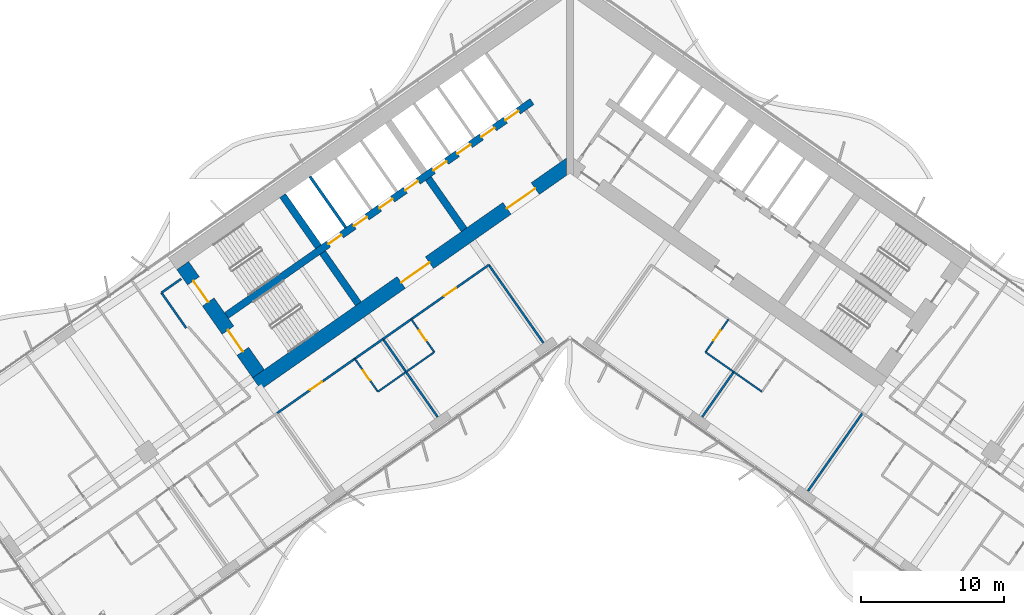
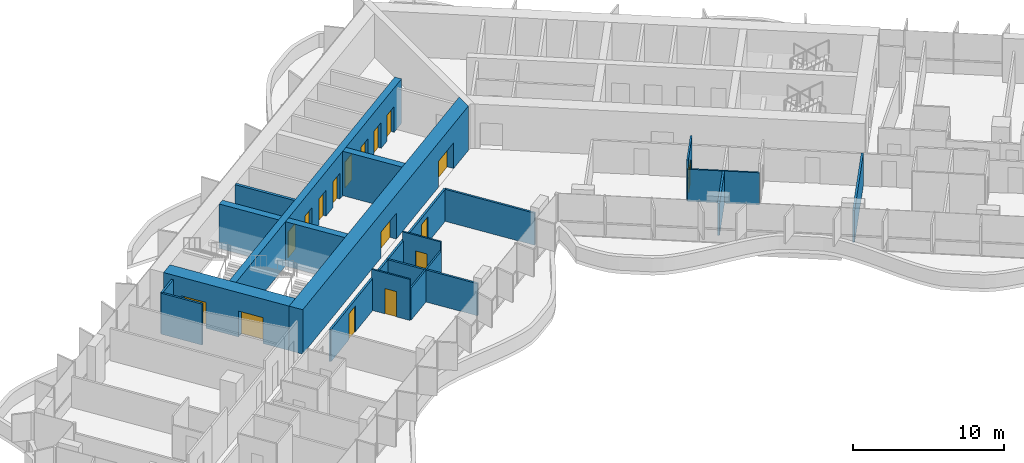
# One storey, part 14 of 24: 25 walls, 17 doors, 17 openings.
"""IFC4 building model written with IfcOpenShell, lengths in metres."""

import ifcopenshell
import ifcopenshell.guid

model = None  # the IFC model being written
_history = None  # IfcOwnerHistory: only IFC2X3 demands one
_inside = {}  # id of a spatial element -> (the spatial element, [elements in it])
_under = {}  # id of a project, library or spatial element -> (it, [spatial elements below it])
_declared = {}  # id of a project -> (the project, [libraries it declares])
_typed = {}  # id of a type object -> (the type object, [elements of that type])
_made_of = {}  # id of a material, layer set ... -> (it, [elements and type objects made of it])


def new_model(schema):
    """Start an empty IFC model of exactly this schema.

    Asked for "IFC4X3", IfcOpenShell would pick the latest addendum, in which some entities
    have other attributes; the version numbers below select the first issue.
    IFC2X3 requires an IfcOwnerHistory on every rooted entity: one is made here for all.
    """
    global model, _history
    if schema == "IFC4X3":
        model = ifcopenshell.file(schema_version=(4, 3, 0, 0))
    else:
        model = ifcopenshell.file(schema=schema)
    _inside.clear()
    _under.clear()
    _declared.clear()
    _typed.clear()
    _made_of.clear()
    _history = None
    if model.schema == "IFC2X3":
        org = make("IfcOrganization", Name="unknown")
        user = make(
            "IfcPersonAndOrganization",
            ThePerson=make("IfcPerson", FamilyName="unknown"),
            TheOrganization=org,
        )
        app = make(
            "IfcApplication",
            ApplicationDeveloper=org,
            Version="unknown",
            ApplicationFullName="unknown",
            ApplicationIdentifier="unknown",
        )
        _history = make(
            "IfcOwnerHistory",
            OwningUser=user,
            OwningApplication=app,
            ChangeAction="ADDED",
            CreationDate=0,
        )
    return model


def make(cls, **values):
    """One entity of the class cls with the attributes given. An attribute that is None is left unset."""
    return model.create_entity(
        cls, **{name: value for name, value in values.items() if value is not None}
    )


def rooted(cls, **values):
    """An entity with a GlobalId (a new one), such as an element, a storey or a relation."""
    return make(cls, GlobalId=ifcopenshell.guid.new(), OwnerHistory=_history, **values)


def si_unit(unit_type, name, prefix=None):
    """IfcSIUnit, for example si_unit("LENGTHUNIT", "METRE", prefix="MILLI")."""
    return make("IfcSIUnit", UnitType=unit_type, Prefix=prefix, Name=name)


def assignment(units):
    """IfcUnitAssignment: the units of a project."""
    return None if units is None else make("IfcUnitAssignment", Units=units)


def point(xyz):
    """IfcCartesianPoint."""
    return None if xyz is None else make("IfcCartesianPoint", Coordinates=xyz)


def direction(xyz):
    """IfcDirection."""
    return None if xyz is None else make("IfcDirection", DirectionRatios=xyz)


def frame(location, z_axis=None, x_axis=None):
    """IfcAxis2Placement3D, a coordinate frame: its origin and axes. An axis left out is left unset."""
    return make(
        "IfcAxis2Placement3D",
        Location=point(location),
        Axis=direction(z_axis),
        RefDirection=direction(x_axis),
    )


def frame_2d(location, x_axis=None):
    """IfcAxis2Placement2D, a coordinate frame in the plane: its origin and x axis."""
    return make(
        "IfcAxis2Placement2D", Location=point(location), RefDirection=direction(x_axis)
    )


def origin():
    """The frame at (0, 0, 0) with its axes left unset."""
    return frame((0.0, 0.0, 0.0))


def place(relative_to, where):
    """IfcLocalPlacement: puts the frame where relative to a parent placement (None: the world)."""
    return make(
        "IfcLocalPlacement", PlacementRelTo=relative_to, RelativePlacement=where
    )


def context(
    kind, dimensions, precision=None, world=None, true_north=None, identifier=None
):
    """IfcGeometricRepresentationContext, for example the 3D "Model" context."""
    return make(
        "IfcGeometricRepresentationContext",
        ContextIdentifier=identifier,
        ContextType=kind,
        CoordinateSpaceDimension=dimensions,
        Precision=precision,
        WorldCoordinateSystem=world,
        TrueNorth=true_north,
    )


def subcontext(parent, identifier, kind, view, scale=None):
    """IfcGeometricRepresentationSubContext, for example "Body" below "Model"."""
    return make(
        "IfcGeometricRepresentationSubContext",
        ContextIdentifier=identifier,
        ContextType=kind,
        ParentContext=parent,
        TargetScale=scale,
        TargetView=view,
    )


def project(units=None, contexts=None):
    """IfcProject with its units and contexts."""
    return rooted(
        "IfcProject",
        Name="project",
        RepresentationContexts=contexts,
        UnitsInContext=assignment(units),
    )


def spatial(cls, under=None, at=None, **own):
    """A site, building, storey or space (cls), placed at a placement, below another one or the project."""
    s = rooted(cls, ObjectPlacement=at, **own)
    if under is not None:
        _under.setdefault(under.id(), (under, []))[1].append(s)
    return s


def polyline(points):
    """IfcPolyline through the points."""
    return make("IfcPolyline", Points=[point(p) for p in points])


def profile(cls, at=None, kind="AREA", **sizes):
    """A parametric profile (cls). Its sizes go by their IFC names, for example OverallWidth=200.0."""
    return make(cls, ProfileType=kind, Position=at, **sizes)


def rectangle(**sizes):
    """IfcRectangleProfileDef."""
    return profile("IfcRectangleProfileDef", **sizes)


def outline(outer, holes=None, kind="AREA"):
    """IfcArbitraryClosedProfileDef: a profile drawn as a closed curve; with holes, ...WithVoids."""
    if holes is None:
        return make("IfcArbitraryClosedProfileDef", ProfileType=kind, OuterCurve=outer)
    return make(
        "IfcArbitraryProfileDefWithVoids",
        ProfileType=kind,
        OuterCurve=outer,
        InnerCurves=holes,
    )


def extrude(swept, where, along, depth):
    """IfcExtrudedAreaSolid: the profile swept, set in the frame where, extruded along a direction by depth."""
    return make(
        "IfcExtrudedAreaSolid",
        SweptArea=swept,
        Position=where,
        ExtrudedDirection=direction(along),
        Depth=depth,
    )


def shape(context_of_items, identifier, shape_type, items):
    """IfcShapeRepresentation: the items that make up one representation, for example the "Body"."""
    return make(
        "IfcShapeRepresentation",
        ContextOfItems=context_of_items,
        RepresentationIdentifier=identifier,
        RepresentationType=shape_type,
        Items=items,
    )


def material(Name=None, Category=None):
    """IfcMaterial."""
    return make("IfcMaterial", Name=Name, Category=Category)


def layer(
    of_material, thickness, ventilated=None, Name=None, Category=None, Priority=None
):
    """IfcMaterialLayer: one layer of a wall or slab, of a material (None: an air gap)."""
    return make(
        "IfcMaterialLayer",
        Material=of_material,
        LayerThickness=thickness,
        IsVentilated=ventilated,
        Name=Name,
        Category=Category,
        Priority=Priority,
    )


def layer_set(layers, Name=None):
    """IfcMaterialLayerSet."""
    return make("IfcMaterialLayerSet", MaterialLayers=layers, LayerSetName=Name)


def made_of(thing, what):
    """Note that an element or type object is made of a material, layer set ...; save() writes the relation."""
    if what is not None:
        _made_of.setdefault(what.id(), (what, []))[1].append(thing)
    return thing


def type_object(cls, material=None, **own):
    """A type object (cls), such as IfcWallType, which elements share."""
    return made_of(rooted(cls, **own), material)


def element(
    cls,
    number,
    at=None,
    inside=None,
    cuts=None,
    type_object=None,
    material=None,
    context=None,
    identifier="Body",
    shape_type=None,
    held_by="IfcProductDefinitionShape",
    body=None,
    shapes=None,
    **own,
):
    """One element of the class cls, such as IfcWall. Its Tag is "e" and its number.

    at: its placement. inside: the storey or other place that contains it. cuts: it is an
    opening in that element (IfcRelVoidsElement). A single representation is given by context,
    identifier, shape_type and body (its items); several are given by shapes. held_by: the class
    of the entity that holds the representations. save() writes the other relations.
    """
    e = rooted(cls, Tag="e%d" % number, ObjectPlacement=at, **own)
    if body is not None:
        shapes = [shape(context, identifier, shape_type, body)]
    if shapes is not None:
        e.Representation = make(held_by, Representations=shapes)
    if inside is not None:
        _inside.setdefault(inside.id(), (inside, []))[1].append(e)
    if cuts is not None:
        rooted(
            "IfcRelVoidsElement", RelatingBuildingElement=cuts, RelatedOpeningElement=e
        )
    if type_object is not None:
        _typed.setdefault(type_object.id(), (type_object, []))[1].append(e)
    return made_of(e, material)


def fill(opening, filler):
    """IfcRelFillsElement: the door or window that sits in an opening."""
    return rooted(
        "IfcRelFillsElement",
        RelatingOpeningElement=opening,
        RelatedBuildingElement=filler,
    )


def aggregate(whole, parts):
    """IfcRelAggregates: a whole, such as a stair, and the parts it consists of."""
    return rooted("IfcRelAggregates", RelatingObject=whole, RelatedObjects=parts)


def save(model, path):
    """Write the relations noted so far, then the file.

    IfcRelAggregates (storeys below a building ...), IfcRelContainedInSpatialStructure (elements
    in a storey), IfcRelDefinesByType, IfcRelAssociatesMaterial and IfcRelDeclares: one each for
    every whole, place, type object, material and project.
    """
    for whole, parts in _under.values():
        aggregate(whole, parts)
    for where, things in _inside.values():
        rooted(
            "IfcRelContainedInSpatialStructure",
            RelatedElements=things,
            RelatingStructure=where,
        )
    for kind, things in _typed.values():
        rooted("IfcRelDefinesByType", RelatedObjects=things, RelatingType=kind)
    for what, things in _made_of.values():
        rooted("IfcRelAssociatesMaterial", RelatedObjects=things, RelatingMaterial=what)
    for by, libraries in _declared.values():
        rooted("IfcRelDeclares", RelatingContext=by, RelatedDefinitions=libraries)
    model.write(path)


model = new_model("IFC4")

# Units and contexts
model_context = context("Model", 3, precision=1e-05, world=origin(), true_north=direction((0.0, 1.0)))
body_context = subcontext(model_context, "Body", "Model", "MODEL_VIEW")
ifc_project = project(units=[si_unit("LENGTHUNIT", "METRE"), si_unit("AREAUNIT", "SQUARE_METRE"), si_unit("VOLUMEUNIT", "CUBIC_METRE"), si_unit("PLANEANGLEUNIT", "RADIAN"), si_unit("MASSUNIT", "GRAM", prefix="KILO")], contexts=[model_context])

# Site, building, storey
site_placement = place(None, origin())
site = spatial("IfcSite", under=ifc_project, at=site_placement, CompositionType="ELEMENT")
building_placement = place(site_placement, origin())
building = spatial("IfcBuilding", under=site, at=building_placement, Name="Tel Ilan Convention Tower", CompositionType="ELEMENT")
storey_placement = place(building_placement, frame((0.0, 0.0, 72.5)))
storey = spatial("IfcBuildingStorey", under=building, at=storey_placement, Name="L13", CompositionType="ELEMENT", Elevation=72.5)

# Wall, openings, doors
ifc_material_1 = material(Name="Concrete C60/75", Category="concrete")
ifc_layer_1 = layer(ifc_material_1, 1.0)
ifc_layer_set_1 = layer_set([ifc_layer_1], Name="Core Shear Wall 1000 mm C60/75")
wall_type_1 = type_object("IfcWallType", Name="Core Shear Wall 1000 mm C60/75", PredefinedType="SHEAR", material=ifc_layer_set_1)
wall_1_placement = place(storey_placement, frame((0.036865234375, -0.584716796875, 0.0), z_axis=(0.0, 0.0, 1.0), x_axis=(-0.819157152511, -0.573569140985, 0.0)))
wall_1 = element("IfcWall", 1, at=wall_1_placement, inside=storey, type_object=wall_type_1, Name="L13 core wall W-front", PredefinedType="SHEAR", context=body_context, shape_type="SweptSolid", body=[
    extrude(outline(polyline([(26.69482421875, 0.500244140625), (0.7001953125, 0.499755859375), (0.0, -0.5), (26.69482421875, -0.499755859375), (26.69482421875, 0.500244140625)])), origin(), (0.0, 0.0, 1.0), 3.60009765625),
])
opening_1_placement = place(wall_1_placement, frame((2.994873046875, 0.0, 0.0)))
opening_1 = element("IfcOpeningElement", 2, at=opening_1_placement, cuts=wall_1, Name="Opening CD1305", PredefinedType="OPENING", context=body_context, shape_type="SweptSolid", body=[
    extrude(rectangle(XDim=2.39990234375, YDim=2.10009765625, at=frame_2d((1.199951171875, 1.050048828125))), frame((0.0, 0.510009765625, 0.0), z_axis=(0.0, -1.0, 0.0), x_axis=(1.0, 0.0, 0.0)), (0.0, 0.0, 1.0), 1.02001953125),
])
opening_2_placement = place(wall_1_placement, frame((11.994873046875, 0.0, 0.0)))
opening_2 = element("IfcOpeningElement", 3, at=opening_2_placement, cuts=wall_1, Name="Opening CD1306", PredefinedType="OPENING", context=body_context, shape_type="SweptSolid", body=[
    extrude(rectangle(XDim=2.39990234375, YDim=2.10009765625, at=frame_2d((1.199951171875, 1.050048828125))), frame((0.0, 0.510009765625, 0.0), z_axis=(0.0, -1.0, 0.0), x_axis=(1.0, 0.0, 0.0)), (0.0, 0.0, 1.0), 1.02001953125),
])
ifc_material_2 = material(Name="Glazed Aluminium Door Leaf", Category="aluminium")
door_type_1 = type_object("IfcDoorType", Name="Lobby Opening Door 2400 x 2100 FD60S", OperationType="NOTDEFINED", PredefinedType="DOOR", material=ifc_material_2)
door_1_placement = place(opening_1_placement, origin())
door_1 = element("IfcDoor", 4, at=door_1_placement, inside=storey, type_object=door_type_1, Name="Lift Lobby LR1-LR4 opening", OperationType="DOUBLE_DOOR_SINGLE_SWING", OverallHeight=2.10009765625, OverallWidth=2.39990234375, PredefinedType="DOOR", context=body_context, shape_type="SweptSolid", body=[
    extrude(rectangle(XDim=2.39990234375, YDim=2.10009765625, at=frame_2d((1.199951171875, 1.050048828125))), frame((0.0, 0.02490234375, 0.0), z_axis=(0.0, -1.0, 0.0), x_axis=(1.0, 0.0, 0.0)), (0.0, 0.0, 1.0), 0.050048828125),
])
fill(opening_1, door_1)
door_2_placement = place(opening_2_placement, origin())
door_2 = element("IfcDoor", 5, at=door_2_placement, inside=storey, type_object=door_type_1, Name="Lift Lobby LR5-LR8 opening", OperationType="DOUBLE_DOOR_SINGLE_SWING", OverallHeight=2.10009765625, OverallWidth=2.39990234375, PredefinedType="DOOR", context=body_context, shape_type="SweptSolid", body=[
    extrude(rectangle(XDim=2.39990234375, YDim=2.10009765625, at=frame_2d((1.199951171875, 1.050048828125))), frame((0.0, 0.02490234375, 0.0), z_axis=(0.0, -1.0, 0.0), x_axis=(1.0, 0.0, 0.0)), (0.0, 0.0, 1.0), 0.050048828125),
])
fill(opening_2, door_2)

wall_2_placement = place(storey_placement, frame((-21.70751953125, -15.19970703125, 0.0), z_axis=(0.0, 0.0, 1.0), x_axis=(-0.573576324356, 0.819152122709, 0.0)))
wall_2 = element("IfcWall", 6, at=wall_2_placement, inside=storey, type_object=wall_type_1, Name="L13 core wall W-end", PredefinedType="SHEAR", context=body_context, shape_type="SweptSolid", body=[
    extrude(outline(polyline([(0.0, 0.5), (0.0, -0.5), (9.199951171875, -0.5), (9.199951171875, 0.5), (0.0, 0.5)])), origin(), (0.0, 0.0, 1.0), 3.60009765625),
])
opening_3_placement = place(wall_2_placement, frame((6.10009765625, 0.0, 0.0)))
opening_3 = element("IfcOpeningElement", 7, at=opening_3_placement, cuts=wall_2, Name="Opening SD1301", PredefinedType="OPENING", context=body_context, shape_type="SweptSolid", body=[
    extrude(rectangle(XDim=1.800048828125, YDim=2.10009765625, at=frame_2d((0.89990234375, 1.050048828125))), frame((0.0, 0.510009765625, 0.0), z_axis=(0.0, -1.0, 0.0), x_axis=(1.0, 0.0, 0.0)), (0.0, 0.0, 1.0), 1.02001953125),
])
opening_4_placement = place(wall_2_placement, frame((1.89990234375, 0.0, 0.0)))
opening_4 = element("IfcOpeningElement", 8, at=opening_4_placement, cuts=wall_2, Name="Opening SD1302", PredefinedType="OPENING", context=body_context, shape_type="SweptSolid", body=[
    extrude(rectangle(XDim=1.800048828125, YDim=2.10009765625, at=frame_2d((0.89990234375, 1.050048828125))), frame((0.0, 0.510009765625, 0.0), z_axis=(0.0, -1.0, 0.0), x_axis=(1.0, 0.0, 0.0)), (0.0, 0.0, 1.0), 1.02001953125),
])
ifc_material_3 = material(Name="Galvanised Steel Door Leaf", Category="steel")
door_type_2 = type_object("IfcDoorType", Name="Stair Fire Door 1800 x 2100 FD60S", OperationType="NOTDEFINED", PredefinedType="DOOR", material=ifc_material_3)
door_3_placement = place(opening_3_placement, origin())
door_3 = element("IfcDoor", 9, at=door_3_placement, inside=storey, type_object=door_type_2, Name="Stair S1 door", OperationType="DOUBLE_DOOR_SINGLE_SWING", OverallHeight=2.10009765625, OverallWidth=1.800048828125, PredefinedType="DOOR", context=body_context, shape_type="SweptSolid", body=[
    extrude(rectangle(XDim=1.800048828125, YDim=2.10009765625, at=frame_2d((0.89990234375, 1.050048828125))), frame((0.0, 0.02490234375, 0.0), z_axis=(0.0, -1.0, 0.0), x_axis=(1.0, 0.0, 0.0)), (0.0, 0.0, 1.0), 0.050048828125),
])
fill(opening_3, door_3)
door_4_placement = place(opening_4_placement, origin())
door_4 = element("IfcDoor", 10, at=door_4_placement, inside=storey, type_object=door_type_2, Name="Stair S2 door", OperationType="DOUBLE_DOOR_SINGLE_SWING", OverallHeight=2.10009765625, OverallWidth=1.800048828125, PredefinedType="DOOR", context=body_context, shape_type="SweptSolid", body=[
    extrude(rectangle(XDim=1.800048828125, YDim=2.10009765625, at=frame_2d((0.89990234375, 1.050048828125))), frame((0.0, 0.02490234375, 0.0), z_axis=(0.0, -1.0, 0.0), x_axis=(1.0, 0.0, 0.0)), (0.0, 0.0, 1.0), 0.050048828125),
])
fill(opening_4, door_4)

# Walls
ifc_material_4 = material(Name="Concrete C60/75", Category="concrete")
ifc_layer_2 = layer(ifc_material_4, 0.5)
ifc_layer_set_2 = layer_set([ifc_layer_2], Name="Core Shear Wall 500 mm C60/75")
wall_type_2 = type_object("IfcWallType", Name="Core Shear Wall 500 mm C60/75", PredefinedType="SHEAR", material=ifc_layer_set_2)
wall_3_placement = place(storey_placement, frame((-7.372314453125, -5.162109375, 0.0), z_axis=(0.0, 0.0, 1.0), x_axis=(-0.573594173421, 0.819139624372, 0.0)))
element("IfcWall", 11, at=wall_3_placement, inside=storey, type_object=wall_type_2, Name="L13 core wall W-cross1-1", PredefinedType="SHEAR", context=body_context, shape_type="SweptSolid", body=[
    extrude(outline(polyline([(4.349853515625, 0.25), (0.0, 0.250244140625), (0.0, -0.25), (4.349853515625, -0.25), (4.349853515625, 0.25)])), origin(), (0.0, 0.0, 1.0), 3.60009765625),
])
wall_4_placement = place(storey_placement, frame((-14.74462890625, -10.324462890625, 0.0), z_axis=(0.0, 0.0, 1.0), x_axis=(-0.57356780395, 0.819158088694, 0.0)))
element("IfcWall", 12, at=wall_4_placement, inside=storey, type_object=wall_type_2, Name="L13 core wall W-cross2-1", PredefinedType="SHEAR", context=body_context, shape_type="SweptSolid", body=[
    extrude(outline(polyline([(4.35009765625, 0.250244140625), (0.0, 0.25), (0.0, -0.25), (4.35009765625, -0.25), (4.35009765625, 0.250244140625)])), origin(), (0.0, 0.0, 1.0), 3.60009765625),
])
wall_5_placement = place(storey_placement, frame((-17.526611328125, -6.3515625, 0.0), z_axis=(0.0, 0.0, 1.0), x_axis=(-0.573530143085, 0.819184457233, 0.0)))
element("IfcWall", 13, at=wall_5_placement, inside=storey, type_object=wall_type_2, Name="L13 core wall W-cross2-2", PredefinedType="SHEAR", context=body_context, shape_type="SweptSolid", body=[
    extrude(outline(polyline([(4.35009765625, -0.249755859375), (4.35009765625, 0.250244140625), (0.0, 0.25), (0.0, -0.25), (4.35009765625, -0.249755859375)])), origin(), (0.0, 0.0, 1.0), 3.60009765625),
])

# Wall, openings, doors
wall_6_placement = place(storey_placement, frame((-2.638427734375, 3.76806640625, 0.0), z_axis=(0.0, 0.0, 1.0), x_axis=(-0.819148977158, -0.573580816643, 0.0)))
wall_6 = element("IfcWall", 14, at=wall_6_placement, inside=storey, type_object=wall_type_2, Name="L13 core wall W-spine", PredefinedType="SHEAR", context=body_context, shape_type="SweptSolid", body=[
    extrude(outline(polyline([(26.0, 0.249755859375), (0.0, 0.25), (0.0, -0.25), (26.0, -0.250244140625), (26.0, 0.249755859375)])), origin(), (0.0, 0.0, 1.0), 3.60009765625),
])
opening_5_placement = place(wall_6_placement, frame((1.168701171875, 0.0, 0.0)))
opening_5 = element("IfcOpeningElement", 15, at=opening_5_placement, cuts=wall_6, Name="Opening LD1304", PredefinedType="OPENING", context=body_context, shape_type="SweptSolid", body=[
    extrude(rectangle(XDim=1.10009765625, YDim=2.10009765625, at=frame_2d((0.550048828125, 1.050048828125))), frame((0.0, 0.260009765625, 0.0), z_axis=(0.0, -1.0, 0.0), x_axis=(1.0, 0.0, 0.0)), (0.0, 0.0, 1.0), 0.52001953125),
])
opening_6_placement = place(wall_6_placement, frame((3.206298828125, 0.0, 0.0)))
opening_6 = element("IfcOpeningElement", 16, at=opening_6_placement, cuts=wall_6, Name="Opening LD1305", PredefinedType="OPENING", context=body_context, shape_type="SweptSolid", body=[
    extrude(rectangle(XDim=1.10009765625, YDim=2.10009765625, at=frame_2d((0.550048828125, 1.050048828125))), frame((0.0, 0.260009765625, 0.0), z_axis=(0.0, -1.0, 0.0), x_axis=(1.0, 0.0, 0.0)), (0.0, 0.0, 1.0), 0.52001953125),
])
opening_7_placement = place(wall_6_placement, frame((5.24365234375, 0.0, 0.0)))
opening_7 = element("IfcOpeningElement", 17, at=opening_7_placement, cuts=wall_6, Name="Opening LD1306", PredefinedType="OPENING", context=body_context, shape_type="SweptSolid", body=[
    extrude(rectangle(XDim=1.10009765625, YDim=2.10009765625, at=frame_2d((0.550048828125, 1.050048828125))), frame((0.0, 0.260009765625, 0.0), z_axis=(0.0, -1.0, 0.0), x_axis=(1.0, 0.0, 0.0)), (0.0, 0.0, 1.0), 0.52001953125),
])
opening_8_placement = place(wall_6_placement, frame((7.28125, 0.0, 0.0)))
opening_8 = element("IfcOpeningElement", 18, at=opening_8_placement, cuts=wall_6, Name="Opening LD1307", PredefinedType="OPENING", context=body_context, shape_type="SweptSolid", body=[
    extrude(rectangle(XDim=1.10009765625, YDim=2.10009765625, at=frame_2d((0.550048828125, 1.050048828125))), frame((0.0, 0.260009765625, 0.0), z_axis=(0.0, -1.0, 0.0), x_axis=(1.0, 0.0, 0.0)), (0.0, 0.0, 1.0), 0.52001953125),
])
opening_9_placement = place(wall_6_placement, frame((9.6875, 0.0, 0.0)))
opening_9 = element("IfcOpeningElement", 19, at=opening_9_placement, cuts=wall_6, Name="Opening LD1308", PredefinedType="OPENING", context=body_context, shape_type="SweptSolid", body=[
    extrude(rectangle(XDim=1.10009765625, YDim=2.10009765625, at=frame_2d((0.550048828125, 1.050048828125))), frame((0.0, 0.260009765625, 0.0), z_axis=(0.0, -1.0, 0.0), x_axis=(1.0, 0.0, 0.0)), (0.0, 0.0, 1.0), 0.52001953125),
])
opening_10_placement = place(wall_6_placement, frame((11.862548828125, 0.0, 0.0)))
opening_10 = element("IfcOpeningElement", 20, at=opening_10_placement, cuts=wall_6, Name="Opening LD1309", PredefinedType="OPENING", context=body_context, shape_type="SweptSolid", body=[
    extrude(rectangle(XDim=1.10009765625, YDim=2.10009765625, at=frame_2d((0.550048828125, 1.050048828125))), frame((0.0, 0.260009765625, 0.0), z_axis=(0.0, -1.0, 0.0), x_axis=(1.0, 0.0, 0.0)), (0.0, 0.0, 1.0), 0.52001953125),
])
opening_11_placement = place(wall_6_placement, frame((14.03759765625, 0.0, 0.0)))
opening_11 = element("IfcOpeningElement", 21, at=opening_11_placement, cuts=wall_6, Name="Opening LD1310", PredefinedType="OPENING", context=body_context, shape_type="SweptSolid", body=[
    extrude(rectangle(XDim=1.10009765625, YDim=2.10009765625, at=frame_2d((0.550048828125, 1.050048828125))), frame((0.0, 0.260009765625, 0.0), z_axis=(0.0, -1.0, 0.0), x_axis=(1.0, 0.0, 0.0)), (0.0, 0.0, 1.0), 0.52001953125),
])
opening_12_placement = place(wall_6_placement, frame((16.21240234375, 0.0, 0.0)))
opening_12 = element("IfcOpeningElement", 22, at=opening_12_placement, cuts=wall_6, Name="Opening LD1311", PredefinedType="OPENING", context=body_context, shape_type="SweptSolid", body=[
    extrude(rectangle(XDim=1.10009765625, YDim=2.10009765625, at=frame_2d((0.550048828125, 1.050048828125))), frame((0.0, 0.260009765625, 0.0), z_axis=(0.0, -1.0, 0.0), x_axis=(1.0, 0.0, 0.0)), (0.0, 0.0, 1.0), 0.52001953125),
])
ifc_material_5 = material(Name="Stainless Steel Sliding Door Leaf", Category="steel")
door_type_3 = type_object("IfcDoorType", Name="Lift Landing Door 1100 x 2100 FD120", OperationType="NOTDEFINED", PredefinedType="DOOR", material=ifc_material_5)
door_5_placement = place(opening_5_placement, origin())
door_5 = element("IfcDoor", 23, at=door_5_placement, inside=storey, type_object=door_type_3, Name="Lift LR1 landing door", OperationType="SLIDING_TO_LEFT", OverallHeight=2.10009765625, OverallWidth=1.10009765625, PredefinedType="DOOR", context=body_context, shape_type="SweptSolid", body=[
    extrude(rectangle(XDim=1.10009765625, YDim=2.10009765625, at=frame_2d((0.550048828125, 1.050048828125))), frame((0.0, 0.02490234375, 0.0), z_axis=(0.0, -1.0, 0.0), x_axis=(1.0, 0.0, 0.0)), (0.0, 0.0, 1.0), 0.050048828125),
])
fill(opening_5, door_5)
door_6_placement = place(opening_6_placement, origin())
door_6 = element("IfcDoor", 24, at=door_6_placement, inside=storey, type_object=door_type_3, Name="Lift LR2 landing door", OperationType="SLIDING_TO_RIGHT", OverallHeight=2.10009765625, OverallWidth=1.10009765625, PredefinedType="DOOR", context=body_context, shape_type="SweptSolid", body=[
    extrude(rectangle(XDim=1.10009765625, YDim=2.10009765625, at=frame_2d((0.550048828125, 1.050048828125))), frame((0.0, 0.02490234375, 0.0), z_axis=(0.0, -1.0, 0.0), x_axis=(1.0, 0.0, 0.0)), (0.0, 0.0, 1.0), 0.050048828125),
])
fill(opening_6, door_6)
door_7_placement = place(opening_7_placement, origin())
door_7 = element("IfcDoor", 25, at=door_7_placement, inside=storey, type_object=door_type_3, Name="Lift LR3 landing door", OperationType="SLIDING_TO_LEFT", OverallHeight=2.10009765625, OverallWidth=1.10009765625, PredefinedType="DOOR", context=body_context, shape_type="SweptSolid", body=[
    extrude(rectangle(XDim=1.10009765625, YDim=2.10009765625, at=frame_2d((0.550048828125, 1.050048828125))), frame((0.0, 0.02490234375, 0.0), z_axis=(0.0, -1.0, 0.0), x_axis=(1.0, 0.0, 0.0)), (0.0, 0.0, 1.0), 0.050048828125),
])
fill(opening_7, door_7)
door_8_placement = place(opening_8_placement, origin())
door_8 = element("IfcDoor", 26, at=door_8_placement, inside=storey, type_object=door_type_3, Name="Lift LR4 landing door", OperationType="SLIDING_TO_RIGHT", OverallHeight=2.10009765625, OverallWidth=1.10009765625, PredefinedType="DOOR", context=body_context, shape_type="SweptSolid", body=[
    extrude(rectangle(XDim=1.10009765625, YDim=2.10009765625, at=frame_2d((0.550048828125, 1.050048828125))), frame((0.0, 0.02490234375, 0.0), z_axis=(0.0, -1.0, 0.0), x_axis=(1.0, 0.0, 0.0)), (0.0, 0.0, 1.0), 0.050048828125),
])
fill(opening_8, door_8)
door_9_placement = place(opening_9_placement, origin())
door_9 = element("IfcDoor", 27, at=door_9_placement, inside=storey, type_object=door_type_3, Name="Lift LR5 landing door", OperationType="SLIDING_TO_LEFT", OverallHeight=2.10009765625, OverallWidth=1.10009765625, PredefinedType="DOOR", context=body_context, shape_type="SweptSolid", body=[
    extrude(rectangle(XDim=1.10009765625, YDim=2.10009765625, at=frame_2d((0.550048828125, 1.050048828125))), frame((0.0, 0.02490234375, 0.0), z_axis=(0.0, -1.0, 0.0), x_axis=(1.0, 0.0, 0.0)), (0.0, 0.0, 1.0), 0.050048828125),
])
fill(opening_9, door_9)
door_10_placement = place(opening_10_placement, origin())
door_10 = element("IfcDoor", 28, at=door_10_placement, inside=storey, type_object=door_type_3, Name="Lift LR6 landing door", OperationType="SLIDING_TO_RIGHT", OverallHeight=2.10009765625, OverallWidth=1.10009765625, PredefinedType="DOOR", context=body_context, shape_type="SweptSolid", body=[
    extrude(rectangle(XDim=1.10009765625, YDim=2.10009765625, at=frame_2d((0.550048828125, 1.050048828125))), frame((0.0, 0.02490234375, 0.0), z_axis=(0.0, -1.0, 0.0), x_axis=(1.0, 0.0, 0.0)), (0.0, 0.0, 1.0), 0.050048828125),
])
fill(opening_10, door_10)
door_11_placement = place(opening_11_placement, origin())
door_11 = element("IfcDoor", 29, at=door_11_placement, inside=storey, type_object=door_type_3, Name="Lift LR7 landing door", OperationType="SLIDING_TO_LEFT", OverallHeight=2.10009765625, OverallWidth=1.10009765625, PredefinedType="DOOR", context=body_context, shape_type="SweptSolid", body=[
    extrude(rectangle(XDim=1.10009765625, YDim=2.10009765625, at=frame_2d((0.550048828125, 1.050048828125))), frame((0.0, 0.02490234375, 0.0), z_axis=(0.0, -1.0, 0.0), x_axis=(1.0, 0.0, 0.0)), (0.0, 0.0, 1.0), 0.050048828125),
])
fill(opening_11, door_11)
door_12_placement = place(opening_12_placement, origin())
door_12 = element("IfcDoor", 30, at=door_12_placement, inside=storey, type_object=door_type_3, Name="Lift LR8 landing door", OperationType="SLIDING_TO_RIGHT", OverallHeight=2.10009765625, OverallWidth=1.10009765625, PredefinedType="DOOR", context=body_context, shape_type="SweptSolid", body=[
    extrude(rectangle(XDim=1.10009765625, YDim=2.10009765625, at=frame_2d((0.550048828125, 1.050048828125))), frame((0.0, 0.02490234375, 0.0), z_axis=(0.0, -1.0, 0.0), x_axis=(1.0, 0.0, 0.0)), (0.0, 0.0, 1.0), 0.050048828125),
])
fill(opening_12, door_12)

# Wall, opening, door
ifc_material_6 = material(Name="Plasterboard on Steel Studs", Category="steel")
ifc_layer_3 = layer(ifc_material_6, 0.14990234375)
ifc_layer_set_3 = layer_set([ifc_layer_3], Name="Fire-rated Partition 150 EI 60")
wall_type_3 = type_object("IfcWallType", Name="Fire-rated Partition 150 EI 60", PredefinedType="PARTITIONING", material=ifc_layer_set_3)
wall_7_placement = place(storey_placement, frame((-5.651611328125, -7.61962890625, 0.0), z_axis=(0.0, 0.0, 1.0), x_axis=(-0.819155459934, -0.573571558274, 0.0)))
wall_7 = element("IfcWall", 31, at=wall_7_placement, inside=storey, type_object=wall_type_3, Name="Partition 026", PredefinedType="PARTITIONING", context=body_context, shape_type="SweptSolid", body=[
    extrude(rectangle(XDim=6.60107421875, YDim=0.14990234375, at=frame_2d((3.300537109375, 0.0))), origin(), (0.0, 0.0, 1.0), 2.60009765625),
])
opening_13_placement = place(wall_7_placement, frame((2.800048828125, 0.0, 0.0)))
opening_13 = element("IfcOpeningElement", 32, at=opening_13_placement, cuts=wall_7, Name="Opening L13-002", PredefinedType="OPENING", context=body_context, shape_type="SweptSolid", body=[
    extrude(rectangle(XDim=1.0, YDim=2.10009765625, at=frame_2d((0.5, 1.050048828125))), frame((0.0, 0.0849609375, 0.0), z_axis=(0.0, -1.0, 0.0), x_axis=(1.0, 0.0, 0.0)), (0.0, 0.0, 1.0), 0.169921875),
])
ifc_material_7 = material(Name="Timber Door Leaf in Steel Frame", Category="steel")
door_type_4 = type_object("IfcDoorType", Name="Hotel Room Entrance Fire Door 1000x2100", OperationType="NOTDEFINED", PredefinedType="DOOR", material=ifc_material_7)
door_13_placement = place(opening_13_placement, origin())
door_13 = element("IfcDoor", 33, at=door_13_placement, inside=storey, type_object=door_type_4, Name="Door L13-002", OperationType="SINGLE_SWING_LEFT", OverallHeight=2.10009765625, OverallWidth=1.0, PredefinedType="DOOR", context=body_context, shape_type="SweptSolid", body=[
    extrude(rectangle(XDim=1.0, YDim=2.10009765625, at=frame_2d((0.5, 1.050048828125))), frame((0.0, 0.02490234375, 0.0), z_axis=(0.0, -1.0, 0.0), x_axis=(1.0, 0.0, 0.0)), (0.0, 0.0, 1.0), 0.050048828125),
])
fill(opening_13, door_13)

# Wall
wall_8_placement = place(storey_placement, frame((-11.056396484375, -11.404052734375, 0.0), z_axis=(0.0, 0.0, 1.0), x_axis=(-0.819146032251, -0.573585022335, 0.0)))
element("IfcWall", 34, at=wall_8_placement, inside=storey, type_object=wall_type_3, Name="Partition 027", PredefinedType="PARTITIONING", context=body_context, shape_type="SweptSolid", body=[
    extrude(rectangle(XDim=2.404052734375, YDim=0.14990234375, at=frame_2d((1.2021484375, 0.0))), origin(), (0.0, 0.0, 1.0), 2.60009765625),
])

# Wall, opening, door
wall_9_placement = place(storey_placement, frame((-14.9892578125, -14.15771484375, 0.0), z_axis=(0.0, 0.0, 1.0), x_axis=(-0.819124209701, -0.57361618621, 0.0)))
wall_9 = element("IfcWall", 35, at=wall_9_placement, inside=storey, type_object=wall_type_3, Name="Partition 028", PredefinedType="PARTITIONING", context=body_context, shape_type="SweptSolid", body=[
    extrude(rectangle(XDim=6.60302734375, YDim=0.14990234375, at=frame_2d((3.301513671875, 0.0))), origin(), (0.0, 0.0, 1.0), 2.60009765625),
])
opening_14_placement = place(wall_9_placement, frame((2.801025390625, 0.0, 0.0)))
opening_14 = element("IfcOpeningElement", 36, at=opening_14_placement, cuts=wall_9, Name="Opening L13-004", PredefinedType="OPENING", context=body_context, shape_type="SweptSolid", body=[
    extrude(rectangle(XDim=1.0, YDim=2.10009765625, at=frame_2d((0.5, 1.050048828125))), frame((0.0, 0.0849609375, 0.0), z_axis=(0.0, -1.0, 0.0), x_axis=(1.0, 0.0, 0.0)), (0.0, 0.0, 1.0), 0.169921875),
])
door_14_placement = place(opening_14_placement, origin())
door_14 = element("IfcDoor", 37, at=door_14_placement, inside=storey, type_object=door_type_4, Name="Door L13-004", OperationType="SINGLE_SWING_LEFT", OverallHeight=2.10009765625, OverallWidth=1.0, PredefinedType="DOOR", context=body_context, shape_type="SweptSolid", body=[
    extrude(rectangle(XDim=1.0, YDim=2.10009765625, at=frame_2d((0.5, 1.050048828125))), frame((0.0, 0.02490234375, 0.0), z_axis=(0.0, -1.0, 0.0), x_axis=(1.0, 0.0, 0.0)), (0.0, 0.0, 1.0), 0.050048828125),
])
fill(opening_14, door_14)

# Walls
wall_10_placement = place(storey_placement, frame((-13.0224609375, -12.78076171875, 0.0), z_axis=(0.0, 0.0, 1.0), x_axis=(-0.819146032251, -0.573585022335, 0.0)))
element("IfcWall", 38, at=wall_10_placement, inside=storey, type_object=wall_type_3, Name="Partition 029", PredefinedType="PARTITIONING", context=body_context, shape_type="SweptSolid", body=[
    extrude(rectangle(XDim=2.404052734375, YDim=0.14990234375, at=frame_2d((1.2021484375, 0.0))), origin(), (0.0, 0.0, 1.0), 2.60009765625),
])
wall_11_placement = place(storey_placement, frame((11.41748046875, -15.076416015625, 0.0), z_axis=(0.0, 0.0, 1.0), x_axis=(-0.573594994199, -0.819139049631, 0.0)))
element("IfcWall", 39, at=wall_11_placement, inside=storey, type_object=wall_type_3, Name="Partition 056", PredefinedType="PARTITIONING", context=body_context, shape_type="SweptSolid", body=[
    extrude(rectangle(XDim=3.8291015625, YDim=0.14990234375, at=frame_2d((1.91455078125, 0.0))), origin(), (0.0, 0.0, 1.0), 2.60009765625),
])
wall_12_placement = place(storey_placement, frame((20.396484375, -17.944091796875, 0.0), z_axis=(0.0, 0.0, 1.0), x_axis=(-0.57359826181, -0.819136761505, 0.0)))
element("IfcWall", 40, at=wall_12_placement, inside=storey, type_object=wall_type_3, Name="Partition 061", PredefinedType="PARTITIONING", context=body_context, shape_type="SweptSolid", body=[
    extrude(rectangle(XDim=6.630126953125, YDim=0.14990234375, at=frame_2d((3.31494140625, 0.0))), origin(), (0.0, 0.0, 1.0), 2.60009765625),
])
wall_13_placement = place(storey_placement, frame((-1.848876953125, -13.050537109375, 0.0), z_axis=(0.0, 0.0, 1.0), x_axis=(-0.573575988258, 0.819152358047, 0.0)))
element("IfcWall", 41, at=wall_13_placement, inside=storey, type_object=wall_type_3, Name="Partition 073", PredefinedType="PARTITIONING", context=body_context, shape_type="SweptSolid", body=[
    extrude(rectangle(XDim=6.632080078125, YDim=0.14990234375, at=frame_2d((3.31591796875, 0.0))), origin(), (0.0, 0.0, 1.0), 2.60009765625),
])
wall_14_placement = place(storey_placement, frame((-26.74609375, -12.013671875, 0.0), z_axis=(0.0, 0.0, 1.0), x_axis=(-0.573560650686, 0.819163097304, 0.0)))
element("IfcWall", 42, at=wall_14_placement, inside=storey, type_object=wall_type_3, Name="Partition 074", PredefinedType="PARTITIONING", context=body_context, shape_type="SweptSolid", body=[
    extrude(rectangle(XDim=3.0, YDim=0.14990234375, at=frame_2d((1.5, 0.0))), origin(), (0.0, 0.0, 1.0), 3.320068359375),
])
wall_15_placement = place(storey_placement, frame((-28.466796875, -9.55615234375, 0.0), z_axis=(0.0, 0.0, 1.0), x_axis=(0.819109000826, 0.573637903879, 0.0)))
element("IfcWall", 43, at=wall_15_placement, inside=storey, type_object=wall_type_3, Name="Partition 075", PredefinedType="PARTITIONING", context=body_context, shape_type="SweptSolid", body=[
    extrude(rectangle(XDim=1.679931640625, YDim=0.14990234375, at=frame_2d((0.83984375, 0.0))), origin(), (0.0, 0.0, 1.0), 3.320068359375),
])
wall_16_placement = place(storey_placement, frame((-9.22119140625, -18.212890625, 0.0), z_axis=(0.0, 0.0, 1.0), x_axis=(-0.573594994199, 0.819139049631, 0.0)))
element("IfcWall", 44, at=wall_16_placement, inside=storey, type_object=wall_type_3, Name="Partition 086", PredefinedType="PARTITIONING", context=body_context, shape_type="SweptSolid", body=[
    extrude(rectangle(XDim=3.8291015625, YDim=0.14990234375, at=frame_2d((1.91455078125, 0.0))), origin(), (0.0, 0.0, 1.0), 2.60009765625),
])
wall_17_placement = place(storey_placement, frame((-11.41796875, -15.075439453125, 0.0), z_axis=(0.0, 0.0, 1.0), x_axis=(-0.573550118428, 0.819170471667, 0.0)))
element("IfcWall", 45, at=wall_17_placement, inside=storey, type_object=wall_type_3, Name="Partition 087", PredefinedType="PARTITIONING", context=body_context, shape_type="SweptSolid", body=[
    extrude(rectangle(XDim=2.800048828125, YDim=0.14990234375, at=frame_2d((1.39990234375, 0.0))), origin(), (0.0, 0.0, 1.0), 2.60009765625),
])
ifc_material_8 = material(Name="Concrete C30/37", Category="concrete")
ifc_layer_4 = layer(ifc_material_8, 0.199951171875)
ifc_layer_set_4 = layer_set([ifc_layer_4], Name="Lift Shaft Wall 200 mm C30/37")
wall_type_4 = type_object("IfcWallType", Name="Lift Shaft Wall 200 mm C30/37", PredefinedType="SOLIDWALL", material=ifc_layer_set_4)
wall_18_placement = place(storey_placement, frame((-15.6220703125, -5.017822265625, 0.0), z_axis=(0.0, 0.0, 1.0), x_axis=(-0.573594173421, 0.819139624372, 0.0)))
element("IfcWall", 46, at=wall_18_placement, inside=storey, type_object=wall_type_4, Name="L13 core wall bank-W2-p2", PredefinedType="SOLIDWALL", context=body_context, shape_type="SweptSolid", body=[
    extrude(rectangle(XDim=4.349853515625, YDim=0.199951171875, at=frame_2d((2.1748046875, 0.0))), origin(), (0.0, 0.0, 1.0), 3.60009765625),
])

# Wall, opening, door
ifc_material_9 = material(Name="Plasterboard on Steel Studs", Category="steel")
ifc_layer_5 = layer(ifc_material_9, 0.1201171875)
ifc_layer_set_5 = layer_set([ifc_layer_5], Name="Moisture-resistant Partition 120")
wall_type_5 = type_object("IfcWallType", Name="Moisture-resistant Partition 120", PredefinedType="PARTITIONING", material=ifc_layer_set_5)
wall_19_placement = place(storey_placement, frame((11.05712890625, -11.40478515625, 0.0), z_axis=(0.0, 0.0, 1.0), x_axis=(-0.573591086599, -0.819141785879, 0.0)))
wall_19 = element("IfcWall", 47, at=wall_19_placement, inside=storey, type_object=wall_type_5, Name="Partition 054", PredefinedType="PARTITIONING", context=body_context, shape_type="SweptSolid", body=[
    extrude(rectangle(XDim=2.7998046875, YDim=0.1201171875, at=frame_2d((1.39990234375, 0.0))), origin(), (0.0, 0.0, 1.0), 3.320068359375),
])
opening_15_placement = place(wall_19_placement, frame((0.97509765625, 0.0, 0.0)))
opening_15 = element("IfcOpeningElement", 48, at=opening_15_placement, cuts=wall_19, Name="Opening L13-019", PredefinedType="OPENING", context=body_context, shape_type="SweptSolid", body=[
    extrude(rectangle(XDim=0.85009765625, YDim=2.050048828125, at=frame_2d((0.425048828125, 1.02490234375))), frame((0.0, 0.070068359375, 0.0), z_axis=(0.0, -1.0, 0.0), x_axis=(1.0, 0.0, 0.0)), (0.0, 0.0, 1.0), 0.14013671875),
])
ifc_material_10 = material(Name="Timber Door Leaf in Steel Frame", Category="steel")
door_type_5 = type_object("IfcDoorType", Name="Bathroom Timber Door 850x2050", OperationType="NOTDEFINED", PredefinedType="DOOR", material=ifc_material_10)
door_15_placement = place(opening_15_placement, origin())
door_15 = element("IfcDoor", 49, at=door_15_placement, inside=storey, type_object=door_type_5, Name="Door L13-019", OperationType="SINGLE_SWING_LEFT", OverallHeight=2.050048828125, OverallWidth=0.85009765625, PredefinedType="DOOR", context=body_context, shape_type="SweptSolid", body=[
    extrude(rectangle(XDim=0.85009765625, YDim=2.050048828125, at=frame_2d((0.425048828125, 1.02490234375))), frame((0.0, 0.02490234375, 0.0), z_axis=(0.0, -1.0, 0.0), x_axis=(1.0, 0.0, 0.0)), (0.0, 0.0, 1.0), 0.050048828125),
])
fill(opening_15, door_15)

# Walls
wall_20_placement = place(storey_placement, frame((9.451416015625, -13.69970703125, 0.0), z_axis=(0.0, 0.0, 1.0), x_axis=(0.819141114317, -0.573592045652, 0.0)))
element("IfcWall", 50, at=wall_20_placement, inside=storey, type_object=wall_type_5, Name="Partition 055", PredefinedType="PARTITIONING", context=body_context, shape_type="SweptSolid", body=[
    extrude(rectangle(XDim=2.400146484375, YDim=0.1201171875, at=frame_2d((1.2001953125, 0.0))), origin(), (0.0, 0.0, 1.0), 2.60009765625),
])
wall_21_placement = place(storey_placement, frame((11.41748046875, -15.076416015625, 0.0), z_axis=(0.0, 0.0, 1.0), x_axis=(0.819155442668, -0.573571582932, 0.0)))
element("IfcWall", 51, at=wall_21_placement, inside=storey, type_object=wall_type_5, Name="Partition 059", PredefinedType="PARTITIONING", context=body_context, shape_type="SweptSolid", body=[
    extrude(rectangle(XDim=2.39990234375, YDim=0.1201171875, at=frame_2d((1.199951171875, 0.0))), origin(), (0.0, 0.0, 1.0), 2.60009765625),
])
wall_22_placement = place(storey_placement, frame((-11.41748046875, -15.076416015625, 0.0), z_axis=(0.0, 0.0, 1.0), x_axis=(0.819141114317, 0.573592045652, 0.0)))
element("IfcWall", 52, at=wall_22_placement, inside=storey, type_object=wall_type_5, Name="Partition 084", PredefinedType="PARTITIONING", context=body_context, shape_type="SweptSolid", body=[
    extrude(rectangle(XDim=2.400146484375, YDim=0.1201171875, at=frame_2d((1.2001953125, 0.0))), origin(), (0.0, 0.0, 1.0), 2.60009765625),
])

# Wall, opening, door
wall_23_placement = place(storey_placement, frame((-9.451171875, -13.6982421875, 0.0), z_axis=(0.0, 0.0, 1.0), x_axis=(-0.573591086599, 0.819141785879, 0.0)))
wall_23 = element("IfcWall", 53, at=wall_23_placement, inside=storey, type_object=wall_type_5, Name="Partition 085", PredefinedType="PARTITIONING", context=body_context, shape_type="SweptSolid", body=[
    extrude(rectangle(XDim=2.7998046875, YDim=0.1201171875, at=frame_2d((1.39990234375, 0.0))), origin(), (0.0, 0.0, 1.0), 3.320068359375),
])
opening_16_placement = place(wall_23_placement, frame((0.97509765625, 0.0, 0.0)))
opening_16 = element("IfcOpeningElement", 54, at=opening_16_placement, cuts=wall_23, Name="Opening L13-001", PredefinedType="OPENING", context=body_context, shape_type="SweptSolid", body=[
    extrude(rectangle(XDim=0.85009765625, YDim=2.050048828125, at=frame_2d((0.425048828125, 1.02490234375))), frame((0.0, 0.070068359375, 0.0), z_axis=(0.0, -1.0, 0.0), x_axis=(1.0, 0.0, 0.0)), (0.0, 0.0, 1.0), 0.14013671875),
])
door_16_placement = place(opening_16_placement, origin())
door_16 = element("IfcDoor", 55, at=door_16_placement, inside=storey, type_object=door_type_5, Name="Door L13-001", OperationType="SINGLE_SWING_LEFT", OverallHeight=2.050048828125, OverallWidth=0.85009765625, PredefinedType="DOOR", context=body_context, shape_type="SweptSolid", body=[
    extrude(rectangle(XDim=0.85009765625, YDim=2.050048828125, at=frame_2d((0.425048828125, 1.02490234375))), frame((0.0, 0.02490234375, 0.0), z_axis=(0.0, -1.0, 0.0), x_axis=(1.0, 0.0, 0.0)), (0.0, 0.0, 1.0), 0.050048828125),
])
fill(opening_16, door_16)

wall_24_placement = place(storey_placement, frame((-14.99072265625, -14.158935546875, 0.0), z_axis=(0.0, 0.0, 1.0), x_axis=(0.573550118428, -0.819170471667, 0.0)))
wall_24 = element("IfcWall", 56, at=wall_24_placement, inside=storey, type_object=wall_type_5, Name="Partition 088", PredefinedType="PARTITIONING", context=body_context, shape_type="SweptSolid", body=[
    extrude(rectangle(XDim=2.800048828125, YDim=0.1201171875, at=frame_2d((1.39990234375, 0.0))), origin(), (0.0, 0.0, 1.0), 3.320068359375),
])
opening_17_placement = place(wall_24_placement, frame((0.97509765625, 0.0, 0.0)))
opening_17 = element("IfcOpeningElement", 57, at=opening_17_placement, cuts=wall_24, Name="Opening L13-003", PredefinedType="OPENING", context=body_context, shape_type="SweptSolid", body=[
    extrude(rectangle(XDim=0.85009765625, YDim=2.050048828125, at=frame_2d((0.425048828125, 1.02490234375))), frame((0.0, 0.070068359375, 0.0), z_axis=(0.0, -1.0, 0.0), x_axis=(1.0, 0.0, 0.0)), (0.0, 0.0, 1.0), 0.14013671875),
])
door_17_placement = place(opening_17_placement, origin())
door_17 = element("IfcDoor", 58, at=door_17_placement, inside=storey, type_object=door_type_5, Name="Door L13-003", OperationType="SINGLE_SWING_LEFT", OverallHeight=2.050048828125, OverallWidth=0.85009765625, PredefinedType="DOOR", context=body_context, shape_type="SweptSolid", body=[
    extrude(rectangle(XDim=0.85009765625, YDim=2.050048828125, at=frame_2d((0.425048828125, 1.02490234375))), frame((0.0, 0.02490234375, 0.0), z_axis=(0.0, -1.0, 0.0), x_axis=(1.0, 0.0, 0.0)), (0.0, 0.0, 1.0), 0.050048828125),
])
fill(opening_17, door_17)

# Wall
wall_25_placement = place(storey_placement, frame((-13.38330078125, -16.452880859375, 0.0), z_axis=(0.0, 0.0, 1.0), x_axis=(0.819155442668, 0.573571582932, 0.0)))
element("IfcWall", 59, at=wall_25_placement, inside=storey, type_object=wall_type_5, Name="Partition 089", PredefinedType="PARTITIONING", context=body_context, shape_type="SweptSolid", body=[
    extrude(rectangle(XDim=2.39990234375, YDim=0.1201171875, at=frame_2d((1.199951171875, 0.0))), origin(), (0.0, 0.0, 1.0), 2.60009765625),
])

save(model, "model.ifc")
